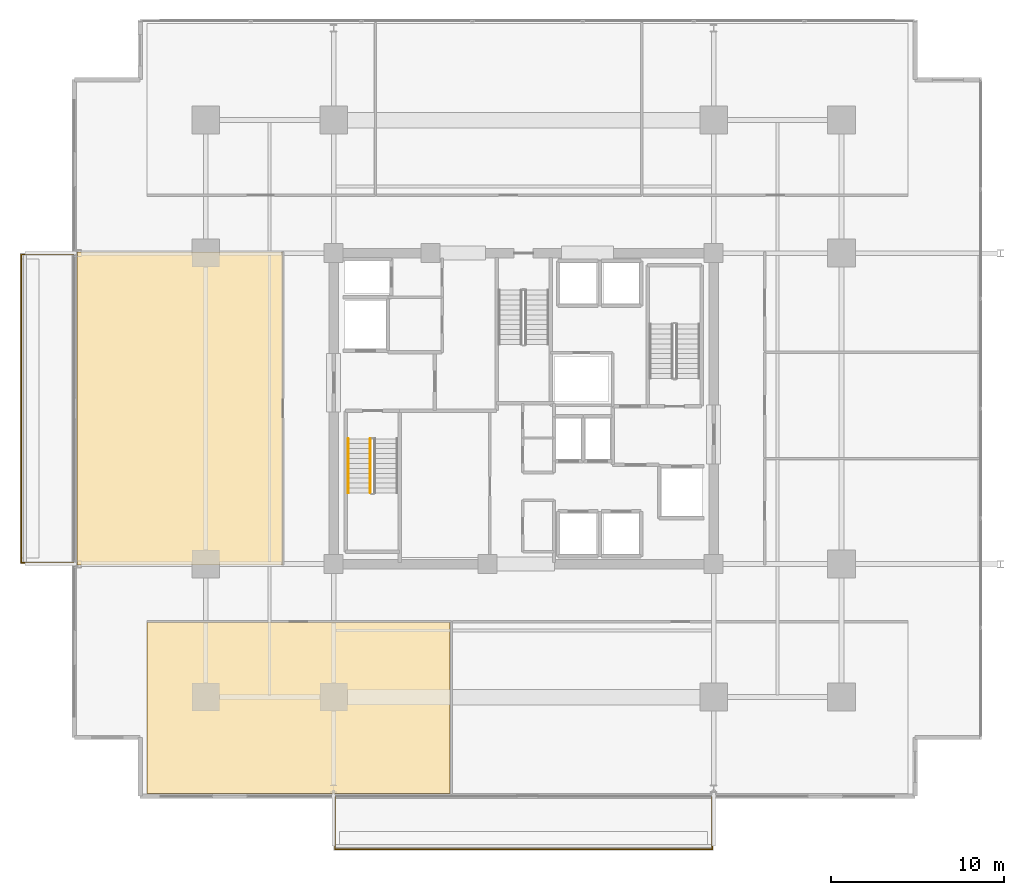
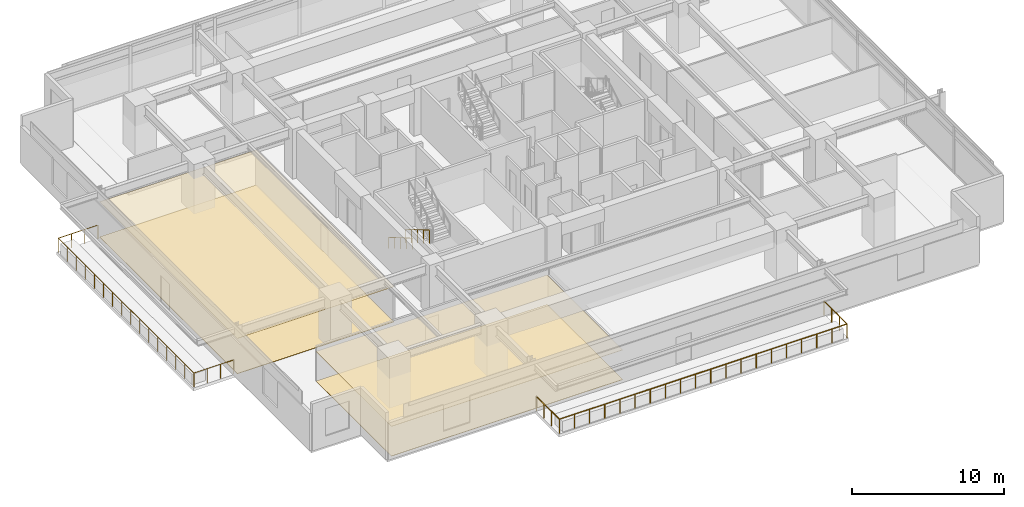
# One storey, part 18 of 23: 4 coverings, 4 railings.
"""IFC4 building model written with IfcOpenShell, lengths in metres."""

from ifc_helpers import new_model, si_unit, direction, frame, origin, origin_2d, place, context, subcontext, project, spatial, polyline, circle, outline, extrude, material, layer, layer_set, type_object, element, save


model = new_model("IFC4")

# Units and contexts
model_context = context("Model", 3, precision=1e-05, world=origin(), true_north=direction((0.0, 1.0)))
body_context = subcontext(model_context, "Body", "Model", "MODEL_VIEW")
ifc_project = project(units=[si_unit("LENGTHUNIT", "METRE"), si_unit("AREAUNIT", "SQUARE_METRE"), si_unit("VOLUMEUNIT", "CUBIC_METRE"), si_unit("PLANEANGLEUNIT", "RADIAN"), si_unit("MASSUNIT", "GRAM", prefix="KILO")], contexts=[model_context])

# Site, building, storey
site_placement = place(None, origin())
site = spatial("IfcSite", under=ifc_project, at=site_placement, CompositionType="ELEMENT")
building_placement = place(site_placement, origin())
building = spatial("IfcBuilding", under=site, at=building_placement, Name="Kovane Verandah Tower", CompositionType="ELEMENT")
storey_placement = place(building_placement, frame((0.0, 0.0, 140.39990234375)))
storey = spatial("IfcBuildingStorey", under=building, at=storey_placement, Name="L32", CompositionType="ELEMENT", Elevation=140.39990234375)

# Coverings
ifc_material_1 = material(Name="Perforated Acoustic Mineral-Fibre Ceiling Tile", Category="gypsum")
ifc_layer_1 = layer(ifc_material_1, 0.02490234375)
ifc_layer_set_1 = layer_set([ifc_layer_1], Name="Perforated Acoustic Mineral-Fibre Ceiling Tile")
covering_type_1 = type_object("IfcCoveringType", Name="CV-CEIL-25", PredefinedType="CEILING", material=ifc_layer_set_1)
covering_1_placement = place(storey_placement, frame((0.0, 0.0, 2.380126953125)))
element("IfcCovering", 1, at=covering_1_placement, inside=storey, type_object=covering_type_1, Name="L32 Breakout Pantry S1 Acoustic Ceiling", PredefinedType="CEILING", context=body_context, shape_type="SweptSolid", body=[
    extrude(outline(polyline([(18.198974609375, 5.209228515625), (35.751708984375, 5.209228515625), (35.751708984375, 15.14990234375), (18.198974609375, 15.14990234375), (18.198974609375, 5.209228515625)])), origin(), (0.0, 0.0, 1.0), 0.02490234375),
])
covering_2_placement = place(storey_placement, frame((0.0, 0.0, 2.8251953125)))
element("IfcCovering", 2, at=covering_2_placement, inside=storey, type_object=covering_type_1, Name="L32 Document and Print Room W1 Acoustic Ceiling", PredefinedType="CEILING", context=body_context, shape_type="SweptSolid", body=[
    extrude(outline(polyline([(14.14892578125, 18.449951171875), (26.050048828125, 18.449951171875), (26.050048828125, 36.550048828125), (14.14892578125, 36.550048828125), (14.14892578125, 18.449951171875)])), origin(), (0.0, 0.0, 1.0), 0.02490234375),
])
ifc_material_2 = material(Name="Polished Terrazzo and Raised-Access Carpet Tile Finish", Category="concrete")
ifc_layer_2 = layer(ifc_material_2, 0.030029296875)
ifc_layer_set_2 = layer_set([ifc_layer_2], Name="Polished Terrazzo and Raised-Access Carpet Tile Finish")
covering_type_2 = type_object("IfcCoveringType", Name="CV-FLOR-30", PredefinedType="FLOORING", material=ifc_layer_set_2)
covering_3_placement = place(storey_placement, origin())
element("IfcCovering", 3, at=covering_3_placement, inside=storey, type_object=covering_type_2, Name="L32 Breakout Pantry S1 Floor Finish", PredefinedType="FLOORING", context=body_context, shape_type="SweptSolid", body=[
    extrude(outline(polyline([(18.198974609375, 5.209228515625), (35.751708984375, 5.209228515625), (35.751708984375, 15.14990234375), (18.198974609375, 15.14990234375), (18.198974609375, 5.209228515625)])), origin(), (0.0, 0.0, 1.0), 0.030029296875),
])
covering_4_placement = place(storey_placement, origin())
element("IfcCovering", 4, at=covering_4_placement, inside=storey, type_object=covering_type_2, Name="L32 Document and Print Room W1 Floor Finish", PredefinedType="FLOORING", context=body_context, shape_type="SweptSolid", body=[
    extrude(outline(polyline([(14.14892578125, 18.449951171875), (26.050048828125, 18.449951171875), (26.050048828125, 36.550048828125), (14.14892578125, 36.550048828125), (14.14892578125, 18.449951171875)])), origin(), (0.0, 0.0, 1.0), 0.030029296875),
])

# Railings
ifc_material_3 = material(Name="Laminated Glass and Pale-Champagne Stainless Balustrade", Category="glass")
railing_type_1 = type_object("IfcRailingType", Name="RL-BAL-1150", PredefinedType="BALUSTRADE", material=ifc_material_3)
railing_1_placement = place(storey_placement, frame((29.080078125, 5.00927734375, 0.0)))
element("IfcRailing", 5, at=railing_1_placement, inside=storey, type_object=railing_type_1, Name="L32 S Verandah Glass Balustrade", PredefinedType="BALUSTRADE", context=body_context, shape_type="SweptSolid", body=[
    extrude(circle(Radius=0.02392578125, at=origin_2d()), frame((0.0, 0.0, 1.1259765625), z_axis=(0.0, -1.0, 0.0), x_axis=(1.0, 0.0, 0.0)), (0.0, 0.0, 1.0), 3.02001953125),
    extrude(circle(Radius=0.02392578125, at=origin_2d()), frame((0.0, -3.02001953125, 1.1259765625), z_axis=(1.0, 0.0, 0.0), x_axis=(0.0, 1.0, 0.0)), (0.0, 0.0, 1.0), 21.83984375),
    extrude(circle(Radius=0.02392578125, at=origin_2d()), frame((21.83984375, -3.02001953125, 1.1259765625), z_axis=(0.0, 1.0, 0.0), x_axis=(-1.0, 0.0, 0.0)), (0.0, 0.0, 1.0), 3.02001953125),
    extrude(circle(Radius=0.02099609375, at=origin_2d()), origin(), (0.0, 0.0, 1.0), 1.101806640625),
    extrude(circle(Radius=0.02099609375, at=origin_2d()), frame((0.0, -1.006591796875, 0.0)), (0.0, 0.0, 1.0), 1.101806640625),
    extrude(circle(Radius=0.02099609375, at=origin_2d()), frame((0.0, -2.013427734375, 0.0)), (0.0, 0.0, 1.0), 1.101806640625),
    extrude(circle(Radius=0.02099609375, at=origin_2d()), frame((0.0, -3.02001953125, 0.0)), (0.0, 0.0, 1.0), 1.101806640625),
    extrude(circle(Radius=0.02099609375, at=origin_2d()), frame((1.1494140625, -3.02001953125, 0.0)), (0.0, 0.0, 1.0), 1.101806640625),
    extrude(circle(Radius=0.02099609375, at=origin_2d()), frame((2.298828125, -3.02001953125, 0.0)), (0.0, 0.0, 1.0), 1.101806640625),
    extrude(circle(Radius=0.02099609375, at=origin_2d()), frame((3.448486328125, -3.02001953125, 0.0)), (0.0, 0.0, 1.0), 1.101806640625),
    extrude(circle(Radius=0.02099609375, at=origin_2d()), frame((4.597900390625, -3.02001953125, 0.0)), (0.0, 0.0, 1.0), 1.101806640625),
    extrude(circle(Radius=0.02099609375, at=origin_2d()), frame((5.747314453125, -3.02001953125, 0.0)), (0.0, 0.0, 1.0), 1.101806640625),
    extrude(circle(Radius=0.02099609375, at=origin_2d()), frame((6.896728515625, -3.02001953125, 0.0)), (0.0, 0.0, 1.0), 1.101806640625),
    extrude(circle(Radius=0.02099609375, at=origin_2d()), frame((8.046142578125, -3.02001953125, 0.0)), (0.0, 0.0, 1.0), 1.101806640625),
    extrude(circle(Radius=0.02099609375, at=origin_2d()), frame((9.19580078125, -3.02001953125, 0.0)), (0.0, 0.0, 1.0), 1.101806640625),
    extrude(circle(Radius=0.02099609375, at=origin_2d()), frame((10.34521484375, -3.02001953125, 0.0)), (0.0, 0.0, 1.0), 1.101806640625),
    extrude(circle(Radius=0.02099609375, at=origin_2d()), frame((11.49462890625, -3.02001953125, 0.0)), (0.0, 0.0, 1.0), 1.101806640625),
    extrude(circle(Radius=0.02099609375, at=origin_2d()), frame((12.64404296875, -3.02001953125, 0.0)), (0.0, 0.0, 1.0), 1.101806640625),
    extrude(circle(Radius=0.02099609375, at=origin_2d()), frame((13.793701171875, -3.02001953125, 0.0)), (0.0, 0.0, 1.0), 1.101806640625),
    extrude(circle(Radius=0.02099609375, at=origin_2d()), frame((14.943115234375, -3.02001953125, 0.0)), (0.0, 0.0, 1.0), 1.101806640625),
    extrude(circle(Radius=0.02099609375, at=origin_2d()), frame((16.092529296875, -3.02001953125, 0.0)), (0.0, 0.0, 1.0), 1.101806640625),
    extrude(circle(Radius=0.02099609375, at=origin_2d()), frame((17.241943359375, -3.02001953125, 0.0)), (0.0, 0.0, 1.0), 1.101806640625),
    extrude(circle(Radius=0.02099609375, at=origin_2d()), frame((18.391357421875, -3.02001953125, 0.0)), (0.0, 0.0, 1.0), 1.101806640625),
    extrude(circle(Radius=0.02099609375, at=origin_2d()), frame((19.541015625, -3.02001953125, 0.0)), (0.0, 0.0, 1.0), 1.101806640625),
    extrude(circle(Radius=0.02099609375, at=origin_2d()), frame((20.6904296875, -3.02001953125, 0.0)), (0.0, 0.0, 1.0), 1.101806640625),
    extrude(circle(Radius=0.02099609375, at=origin_2d()), frame((21.83984375, -3.02001953125, 0.0)), (0.0, 0.0, 1.0), 1.101806640625),
    extrude(circle(Radius=0.02099609375, at=origin_2d()), frame((21.83984375, -2.013427734375, 0.0)), (0.0, 0.0, 1.0), 1.101806640625),
    extrude(circle(Radius=0.02099609375, at=origin_2d()), frame((21.83984375, -1.006591796875, 0.0)), (0.0, 0.0, 1.0), 1.101806640625),
    extrude(circle(Radius=0.02099609375, at=origin_2d()), frame((21.83984375, 0.0, 0.0)), (0.0, 0.0, 1.0), 1.101806640625),
])
railing_2_placement = place(storey_placement, frame((13.948974609375, 18.580078125, 0.0)))
element("IfcRailing", 6, at=railing_2_placement, inside=storey, type_object=railing_type_1, Name="L32 W Verandah Glass Balustrade", PredefinedType="BALUSTRADE", context=body_context, shape_type="SweptSolid", body=[
    extrude(circle(Radius=0.02392578125, at=origin_2d()), frame((0.0, 0.0, 1.1259765625), z_axis=(-1.0, 0.0, 0.0), x_axis=(0.0, -1.0, 0.0)), (0.0, 0.0, 1.0), 3.02001953125),
    extrude(circle(Radius=0.02392578125, at=origin_2d()), frame((-3.02001953125, 0.0, 1.1259765625), z_axis=(0.0, 1.0, 0.0), x_axis=(-1.0, 0.0, 0.0)), (0.0, 0.0, 1.0), 17.83984375),
    extrude(circle(Radius=0.02392578125, at=origin_2d()), frame((-3.02001953125, 17.83984375, 1.1259765625), z_axis=(1.0, 0.0, 0.0), x_axis=(0.0, 1.0, 0.0)), (0.0, 0.0, 1.0), 3.02001953125),
    extrude(circle(Radius=0.02099609375, at=origin_2d()), origin(), (0.0, 0.0, 1.0), 1.101806640625),
    extrude(circle(Radius=0.02099609375, at=origin_2d()), frame((-1.006591796875, 0.0, 0.0)), (0.0, 0.0, 1.0), 1.101806640625),
    extrude(circle(Radius=0.02099609375, at=origin_2d()), frame((-2.013427734375, 0.0, 0.0)), (0.0, 0.0, 1.0), 1.101806640625),
    extrude(circle(Radius=0.02099609375, at=origin_2d()), frame((-3.02001953125, 0.0, 0.0)), (0.0, 0.0, 1.0), 1.101806640625),
    extrude(circle(Radius=0.02099609375, at=origin_2d()), frame((-3.02001953125, 1.189208984375, 0.0)), (0.0, 0.0, 1.0), 1.101806640625),
    extrude(circle(Radius=0.02099609375, at=origin_2d()), frame((-3.02001953125, 2.378662109375, 0.0)), (0.0, 0.0, 1.0), 1.101806640625),
    extrude(circle(Radius=0.02099609375, at=origin_2d()), frame((-3.02001953125, 3.56787109375, 0.0)), (0.0, 0.0, 1.0), 1.101806640625),
    extrude(circle(Radius=0.02099609375, at=origin_2d()), frame((-3.02001953125, 4.75732421875, 0.0)), (0.0, 0.0, 1.0), 1.101806640625),
    extrude(circle(Radius=0.02099609375, at=origin_2d()), frame((-3.02001953125, 5.946533203125, 0.0)), (0.0, 0.0, 1.0), 1.101806640625),
    extrude(circle(Radius=0.02099609375, at=origin_2d()), frame((-3.02001953125, 7.135986328125, 0.0)), (0.0, 0.0, 1.0), 1.101806640625),
    extrude(circle(Radius=0.02099609375, at=origin_2d()), frame((-3.02001953125, 8.3251953125, 0.0)), (0.0, 0.0, 1.0), 1.101806640625),
    extrude(circle(Radius=0.02099609375, at=origin_2d()), frame((-3.02001953125, 9.5146484375, 0.0)), (0.0, 0.0, 1.0), 1.101806640625),
    extrude(circle(Radius=0.02099609375, at=origin_2d()), frame((-3.02001953125, 10.703857421875, 0.0)), (0.0, 0.0, 1.0), 1.101806640625),
    extrude(circle(Radius=0.02099609375, at=origin_2d()), frame((-3.02001953125, 11.893310546875, 0.0)), (0.0, 0.0, 1.0), 1.101806640625),
    extrude(circle(Radius=0.02099609375, at=origin_2d()), frame((-3.02001953125, 13.08251953125, 0.0)), (0.0, 0.0, 1.0), 1.101806640625),
    extrude(circle(Radius=0.02099609375, at=origin_2d()), frame((-3.02001953125, 14.27197265625, 0.0)), (0.0, 0.0, 1.0), 1.101806640625),
    extrude(circle(Radius=0.02099609375, at=origin_2d()), frame((-3.02001953125, 15.461181640625, 0.0)), (0.0, 0.0, 1.0), 1.101806640625),
    extrude(circle(Radius=0.02099609375, at=origin_2d()), frame((-3.02001953125, 16.650634765625, 0.0)), (0.0, 0.0, 1.0), 1.101806640625),
    extrude(circle(Radius=0.02099609375, at=origin_2d()), frame((-3.02001953125, 17.83984375, 0.0)), (0.0, 0.0, 1.0), 1.101806640625),
    extrude(circle(Radius=0.02099609375, at=origin_2d()), frame((-2.013427734375, 17.83984375, 0.0)), (0.0, 0.0, 1.0), 1.101806640625),
    extrude(circle(Radius=0.02099609375, at=origin_2d()), frame((-1.006591796875, 17.83984375, 0.0)), (0.0, 0.0, 1.0), 1.101806640625),
    extrude(circle(Radius=0.02099609375, at=origin_2d()), frame((0.0, 17.83984375, 0.0)), (0.0, 0.0, 1.0), 1.101806640625),
])
ifc_material_4 = material(Name="Brushed Stainless Steel Handrail", Category="steel")
railing_type_2 = type_object("IfcRailingType", Name="RL-HAND-920", PredefinedType="HANDRAIL", material=ifc_material_4)
railing_3_placement = place(storey_placement, frame((29.85009765625, 25.75, 0.166748046875)))
element("IfcRailing", 7, at=railing_3_placement, inside=storey, type_object=railing_type_2, Name="L32 ST-01 stair handrail 1", PredefinedType="HANDRAIL", context=body_context, shape_type="SweptSolid", body=[
    extrude(circle(Radius=0.02392578125, at=origin_2d()), frame((0.0, 0.0, 0.8759765625), z_axis=(0.0, -0.863239559939, 0.504794475164), x_axis=(1.0, 0.0, 0.0)), (0.0, 0.0, 1.0), 3.631591796875),
    extrude(circle(Radius=0.02099609375, at=origin_2d()), origin(), (0.0, 0.0, 1.0), 0.851806640625),
    extrude(circle(Radius=0.02099609375, at=origin_2d()), frame((0.0, -0.78369140625, 0.458251953125)), (0.0, 0.0, 1.0), 0.851806640625),
    extrude(circle(Radius=0.02099609375, at=origin_2d()), frame((0.0, -1.5673828125, 0.91650390625)), (0.0, 0.0, 1.0), 0.851806640625),
    extrude(circle(Radius=0.02099609375, at=origin_2d()), frame((0.0, -2.351318359375, 1.375)), (0.0, 0.0, 1.0), 0.851806640625),
    extrude(circle(Radius=0.02099609375, at=origin_2d()), frame((0.0, -3.135009765625, 1.833251953125)), (0.0, 0.0, 1.0), 0.851806640625),
])
ifc_material_5 = material(Name="Painted Steel Stairwell Guardrail", Category="steel")
railing_type_3 = type_object("IfcRailingType", Name="RL-STGUARD-1120", PredefinedType="GUARDRAIL", material=ifc_material_5)
railing_4_placement = place(storey_placement, frame((31.1298828125, 25.75, 0.166748046875)))
element("IfcRailing", 8, at=railing_4_placement, inside=storey, type_object=railing_type_3, Name="L32 ST-01 stair guard 1", PredefinedType="GUARDRAIL", context=body_context, shape_type="SweptSolid", body=[
    extrude(circle(Radius=0.02392578125, at=origin_2d()), frame((0.0, 0.0, 1.076171875), z_axis=(0.0, -0.863239559939, 0.504794475164), x_axis=(1.0, 0.0, 0.0)), (0.0, 0.0, 1.0), 3.631591796875),
    extrude(circle(Radius=0.02099609375, at=origin_2d()), origin(), (0.0, 0.0, 1.0), 1.052001953125),
    extrude(circle(Radius=0.02099609375, at=origin_2d()), frame((0.0, -0.78369140625, 0.458251953125)), (0.0, 0.0, 1.0), 1.052001953125),
    extrude(circle(Radius=0.02099609375, at=origin_2d()), frame((0.0, -1.5673828125, 0.91650390625)), (0.0, 0.0, 1.0), 1.052001953125),
    extrude(circle(Radius=0.02099609375, at=origin_2d()), frame((0.0, -2.351318359375, 1.375)), (0.0, 0.0, 1.0), 1.052001953125),
    extrude(circle(Radius=0.02099609375, at=origin_2d()), frame((0.0, -3.135009765625, 1.833251953125)), (0.0, 0.0, 1.0), 1.052001953125),
])

save(model, "model.ifc")
